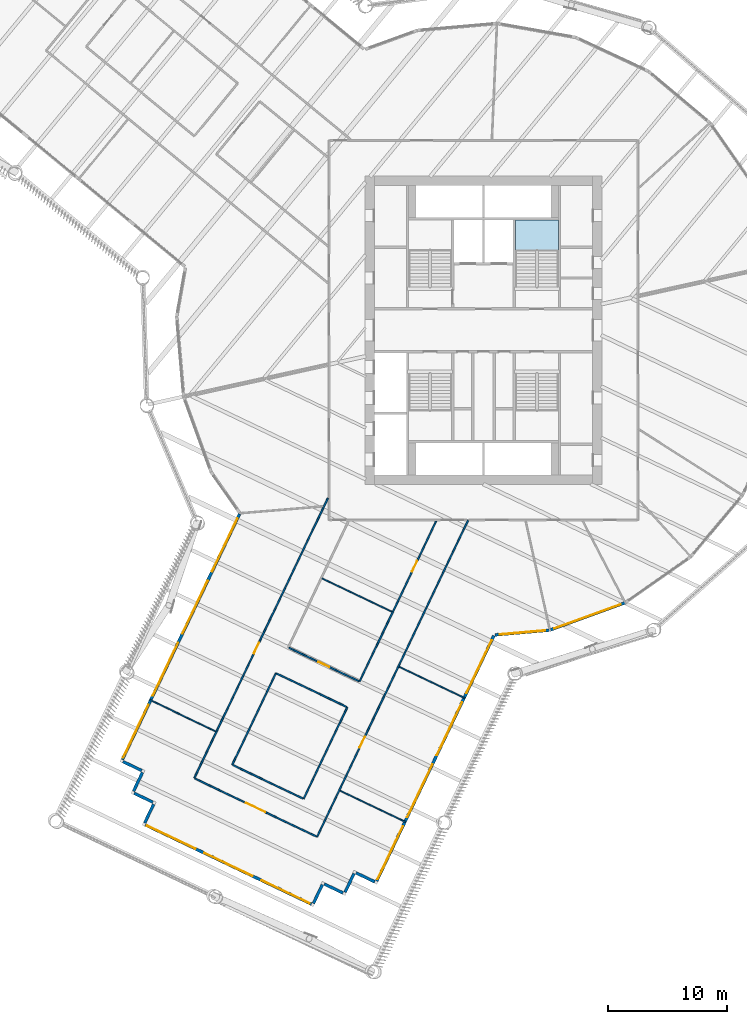
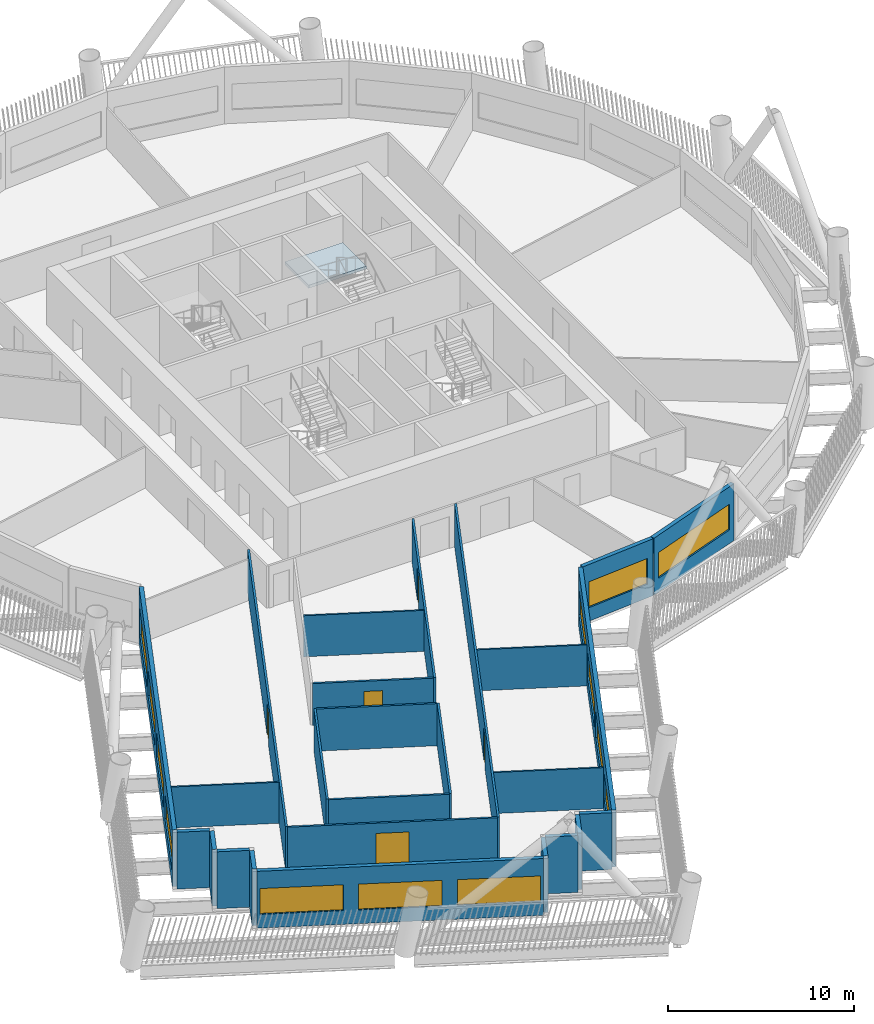
# One storey, part 3 of 22: 26 walls, 13 windows, 5 doors, 1 slab, 18 openings, 1 element without a shape of its own.
"""IFC4 building model written with IfcOpenShell, lengths in metres."""

from ifc_helpers import new_model, si_unit, direction, frame, frame_2d, origin, place, context, subcontext, project, spatial, polyline, rectangle, outline, extrude, material, layer, layer_set, type_object, element, fill, aggregate, save


model = new_model("IFC4")

# Units and contexts
model_context = context("Model", 3, precision=1e-05, world=origin(), true_north=direction((0.0, 1.0)))
body_context = subcontext(model_context, "Body", "Model", "MODEL_VIEW")
ifc_project = project(units=[si_unit("LENGTHUNIT", "METRE"), si_unit("AREAUNIT", "SQUARE_METRE"), si_unit("VOLUMEUNIT", "CUBIC_METRE"), si_unit("PLANEANGLEUNIT", "RADIAN"), si_unit("MASSUNIT", "GRAM", prefix="KILO")], contexts=[model_context])

# Site, building, storey
site_placement = place(None, origin())
site = spatial("IfcSite", under=ifc_project, at=site_placement, CompositionType="ELEMENT")
building_placement = place(site_placement, origin())
building = spatial("IfcBuilding", under=site, at=building_placement, Name="Tarsis Ring Headquarters", CompositionType="ELEMENT")
storey_placement = place(building_placement, frame((0.0, 0.0, 108.39990234375)))
storey = spatial("IfcBuildingStorey", under=building, at=storey_placement, Name="L24", CompositionType="ELEMENT", Elevation=108.39990234375)

# Stair, slab
ifc_material_1 = material(Name="Core stair 1760")
stair_type = type_object("IfcStairType", Name="Core stair 1760", PredefinedType="HALF_TURN_STAIR", material=ifc_material_1)
stair_placement = place(storey_placement, origin())
stair = element("IfcStair", 1, at=stair_placement, inside=storey, type_object=stair_type, Name="L24 Exit stair B", PredefinedType="HALF_TURN_STAIR")
ifc_material_2 = material(Name="Concrete C40/50", Category="concrete")
ifc_layer_1 = layer(ifc_material_2, 0.199951171875)
ifc_layer_set_1 = layer_set([ifc_layer_1], Name="Core stair landing 200")
slab_type = type_object("IfcSlabType", Name="Core stair landing 200", PredefinedType="LANDING", material=ifc_layer_set_1)
slab_placement = place(storey_placement, frame((0.0, 0.0, 1.75)))
slab = element("IfcSlab", 2, at=slab_placement, type_object=slab_type, Name="Stair ST2 landing 1", PredefinedType="LANDING", context=body_context, shape_type="SweptSolid", body=[
    extrude(outline(polyline([(6.300048828125, 6.739990234375), (6.300048828125, 9.300048828125), (2.699951171875, 9.300048828125), (2.699951171875, 6.739990234375), (6.300048828125, 6.739990234375)])), origin(), (0.0, 0.0, 1.0), 0.2001953125),
])
aggregate(stair, [slab])

# Walls
ifc_material_3 = material(Name="Gypsum board on steel studs", Category="steel")
ifc_layer_2 = layer(ifc_material_3, 0.10009765625)
ifc_layer_set_2 = layer_set([ifc_layer_2], Name="FL partition 100 unrated")
wall_type_1 = type_object("IfcWallType", Name="FL partition 100 unrated", PredefinedType="PARTITIONING", material=ifc_layer_set_2)
wall_1_placement = place(storey_placement, frame((-13.592041015625, -20.90380859375, 0.0), z_axis=(0.0, 0.0, 1.0), x_axis=(0.90244828508, -0.430798204217, 0.0)))
element("IfcWall", 3, at=wall_1_placement, inside=storey, type_object=wall_type_1, Name="Partition PW3", PredefinedType="PARTITIONING", context=body_context, shape_type="SweptSolid", body=[
    extrude(rectangle(XDim=6.52001953125, YDim=0.10009765625, at=frame_2d((3.260009765625, 0.0))), origin(), (0.0, 0.0, 1.0), 2.7001953125),
])
for number, where, z_axis, x_axis, name in (
    (4, (-28.107666015625, -31.138427734375, 0.0), (0.0, 0.0, 1.0), (0.902432283332, -0.43083172353, 0.0), "Partition PW3"),
    (5, (-7.104736328125, -28.344482421875, 0.0), (0.0, 0.0, 1.0), (0.902432283332, -0.43083172353, 0.0), "Partition PW3"),
    (6, (-12.08935546875, -38.78564453125, 0.0), (0.0, 0.0, 1.0), (0.902432283332, -0.43083172353, 0.0), "Partition PW3"),
):
    element("IfcWall", number, at=place(storey_placement, frame(where, z_axis=z_axis, x_axis=x_axis)), inside=storey, type_object=wall_type_1, Name=name, PredefinedType="PARTITIONING", context=body_context, shape_type="SweptSolid", body=[
        extrude(rectangle(XDim=6.150146484375, YDim=0.10009765625, at=frame_2d((3.0751953125, 0.0))), origin(), (0.0, 0.0, 1.0), 2.7001953125),
    ])

# Wall, opening, door
ifc_layer_3 = layer(ifc_material_3, 0.125)
ifc_layer_set_3 = layer_set([ifc_layer_3], Name="FL partition 125 EI 60 H2770")
wall_type_2 = type_object("IfcWallType", Name="FL partition 125 EI 60 H2770", PredefinedType="PARTITIONING", material=ifc_layer_set_3)
wall_2_placement = place(storey_placement, frame((-14.0224609375, -42.672119140625, 0.0), z_axis=(0.0, 0.0, 1.0), x_axis=(0.430826678424, 0.902434691908, 0.0)))
wall_2 = element("IfcWall", 7, at=wall_2_placement, inside=storey, type_object=wall_type_2, Name="Partition PW1", PredefinedType="PARTITIONING", context=body_context, shape_type="SweptSolid", body=[
    extrude(rectangle(XDim=29.5556640625, YDim=0.125, at=frame_2d((14.77783203125, 0.0))), origin(), (0.0, 0.0, 1.0), 2.77001953125),
])
opening_1_placement = place(wall_2_placement, frame((8.343994140625, 0.0, 0.0)))
opening_1 = element("IfcOpeningElement", 8, at=opening_1_placement, cuts=wall_2, Name="Opening D24.11", PredefinedType="OPENING", context=body_context, shape_type="SweptSolid", body=[
    extrude(rectangle(XDim=1.0, YDim=2.10009765625, at=frame_2d((0.5, 1.050048828125))), frame((0.0, 0.072509765625, 0.0), z_axis=(0.0, -1.0, 0.0), x_axis=(1.0, 0.0, 0.0)), (0.0, 0.0, 1.0), 0.14501953125),
])
ifc_material_4 = material(Name="Fire-rated timber door leaf in steel frame", Category="steel")
door_type_1 = type_object("IfcDoorType", Name="FL door FD60-1000", OperationType="NOTDEFINED", PredefinedType="DOOR", material=ifc_material_4)
door_1_placement = place(opening_1_placement, origin())
door_1 = element("IfcDoor", 9, at=door_1_placement, inside=storey, type_object=door_type_1, Name="Door D24.11", OperationType="SINGLE_SWING_LEFT", OverallHeight=2.10009765625, OverallWidth=1.0, PredefinedType="DOOR", context=body_context, shape_type="SweptSolid", body=[
    extrude(rectangle(XDim=1.0, YDim=2.10009765625, at=frame_2d((0.5, 1.050048828125))), frame((0.0, 0.02490234375, 0.0), z_axis=(0.0, -1.0, 0.0), x_axis=(1.0, 0.0, 0.0)), (0.0, 0.0, 1.0), 0.050048828125),
])
fill(opening_1, door_1)

wall_3_placement = place(storey_placement, frame((-24.3642578125, -37.73486328125, 0.0), z_axis=(0.0, 0.0, 1.0), x_axis=(0.430828174261, 0.902433977786, 0.0)))
wall_3 = element("IfcWall", 10, at=wall_3_placement, inside=storey, type_object=wall_type_2, Name="Partition PW1", PredefinedType="PARTITIONING", context=body_context, shape_type="SweptSolid", body=[
    extrude(rectangle(XDim=26.127685546875, YDim=0.125, at=frame_2d((13.06396484375, 0.0))), origin(), (0.0, 0.0, 1.0), 2.77001953125),
])
opening_2_placement = place(wall_3_placement, frame((11.64990234375, 0.0, 0.0)))
opening_2 = element("IfcOpeningElement", 11, at=opening_2_placement, cuts=wall_3, Name="Opening D24.13", PredefinedType="OPENING", context=body_context, shape_type="SweptSolid", body=[
    extrude(rectangle(XDim=1.0, YDim=2.10009765625, at=frame_2d((0.5, 1.050048828125))), frame((0.0, 0.072509765625, 0.0), z_axis=(0.0, -1.0, 0.0), x_axis=(1.0, 0.0, 0.0)), (0.0, 0.0, 1.0), 0.14501953125),
])
door_2_placement = place(opening_2_placement, origin())
door_2 = element("IfcDoor", 12, at=door_2_placement, inside=storey, type_object=door_type_1, Name="Door D24.13", OperationType="SINGLE_SWING_LEFT", OverallHeight=2.10009765625, OverallWidth=1.0, PredefinedType="DOOR", context=body_context, shape_type="SweptSolid", body=[
    extrude(rectangle(XDim=1.0, YDim=2.10009765625, at=frame_2d((0.5, 1.050048828125))), frame((0.0, 0.02490234375, 0.0), z_axis=(0.0, -1.0, 0.0), x_axis=(1.0, 0.0, 0.0)), (0.0, 0.0, 1.0), 0.050048828125),
])
fill(opening_2, door_2)

wall_4_placement = place(storey_placement, frame((-10.436767578125, -29.590576171875, 0.0), z_axis=(0.0, 0.0, 1.0), x_axis=(0.430830414235, 0.902432908404, 0.0)))
wall_4 = element("IfcWall", 13, at=wall_4_placement, inside=storey, type_object=wall_type_2, Name="Partition PW1", PredefinedType="PARTITIONING", context=body_context, shape_type="SweptSolid", body=[
    extrude(rectangle(XDim=14.9697265625, YDim=0.125, at=frame_2d((7.48486328125, 0.0))), origin(), (0.0, 0.0, 1.0), 2.77001953125),
])
opening_3_placement = place(wall_4_placement, frame((10.27001953125, 0.0, 0.0)))
opening_3 = element("IfcOpeningElement", 14, at=opening_3_placement, cuts=wall_4, Name="Opening D24.18", PredefinedType="OPENING", context=body_context, shape_type="SweptSolid", body=[
    extrude(rectangle(XDim=1.0, YDim=2.10009765625, at=frame_2d((0.5, 1.050048828125))), frame((0.0, 0.072509765625, 0.0), z_axis=(0.0, -1.0, 0.0), x_axis=(1.0, 0.0, 0.0)), (0.0, 0.0, 1.0), 0.14501953125),
])
door_3_placement = place(opening_3_placement, origin())
door_3 = element("IfcDoor", 15, at=door_3_placement, inside=storey, type_object=door_type_1, Name="Door D24.18", OperationType="SINGLE_SWING_RIGHT", OverallHeight=2.10009765625, OverallWidth=1.0, PredefinedType="DOOR", context=body_context, shape_type="SweptSolid", body=[
    extrude(rectangle(XDim=1.0, YDim=2.10009765625, at=frame_2d((0.5, 1.050048828125))), frame((0.0, 0.02490234375, 0.0), z_axis=(0.0, -1.0, 0.0), x_axis=(1.0, 0.0, 0.0)), (0.0, 0.0, 1.0), 0.050048828125),
])
fill(opening_3, door_3)

wall_5_placement = place(storey_placement, frame((-24.31005859375, -37.7607421875, 0.0), z_axis=(0.0, 0.0, 1.0), x_axis=(0.902437857182, -0.430820048192, 0.0)))
wall_5 = element("IfcWall", 16, at=wall_5_placement, inside=storey, type_object=wall_type_2, Name="Partition PW1", PredefinedType="PARTITIONING", context=body_context, shape_type="SweptSolid", body=[
    extrude(rectangle(XDim=11.340087890625, YDim=0.125, at=frame_2d((5.669921875, 0.0))), origin(), (0.0, 0.0, 1.0), 2.77001953125),
])
opening_4_placement = place(wall_5_placement, frame((4.77001953125, 0.0, 0.0)))
opening_4 = element("IfcOpeningElement", 17, at=opening_4_placement, cuts=wall_5, Name="Opening D24.12", PredefinedType="OPENING", context=body_context, shape_type="SweptSolid", body=[
    extrude(rectangle(XDim=1.800048828125, YDim=2.10009765625, at=frame_2d((0.89990234375, 1.050048828125))), frame((0.0, 0.072509765625, 0.0), z_axis=(0.0, -1.0, 0.0), x_axis=(1.0, 0.0, 0.0)), (0.0, 0.0, 1.0), 0.14501953125),
])
door_type_2 = type_object("IfcDoorType", Name="FL door FD60-1800", OperationType="DOUBLE_DOOR_SINGLE_SWING", PredefinedType="DOOR", material=ifc_material_4)
door_4_placement = place(opening_4_placement, origin())
door_4 = element("IfcDoor", 18, at=door_4_placement, inside=storey, type_object=door_type_2, Name="Door D24.12", OperationType="DOUBLE_DOOR_SINGLE_SWING", OverallHeight=2.10009765625, OverallWidth=1.800048828125, PredefinedType="DOOR", context=body_context, shape_type="SweptSolid", body=[
    extrude(rectangle(XDim=1.800048828125, YDim=2.10009765625, at=frame_2d((0.89990234375, 1.050048828125))), frame((0.0, 0.02490234375, 0.0), z_axis=(0.0, -1.0, 0.0), x_axis=(1.0, 0.0, 0.0)), (0.0, 0.0, 1.0), 0.050048828125),
])
fill(opening_4, door_4)

# Walls
wall_6_placement = place(storey_placement, frame((-21.164306640625, -36.60302734375, 0.0), z_axis=(0.0, 0.0, 1.0), x_axis=(0.430805698681, 0.902444707438, 0.0)))
element("IfcWall", 19, at=wall_6_placement, inside=storey, type_object=wall_type_2, Name="Partition PW1", PredefinedType="PARTITIONING", context=body_context, shape_type="SweptSolid", body=[
    extrude(rectangle(XDim=8.5498046875, YDim=0.125, at=frame_2d((4.27490234375, 0.0))), origin(), (0.0, 0.0, 1.0), 2.77001953125),
])
wall_7_placement = place(storey_placement, frame((-15.154296875, -39.472412109375, 0.0), z_axis=(0.0, 0.0, 1.0), x_axis=(0.430828953435, 0.902433605803, 0.0)))
element("IfcWall", 20, at=wall_7_placement, inside=storey, type_object=wall_type_2, Name="Partition PW1", PredefinedType="PARTITIONING", context=body_context, shape_type="SweptSolid", body=[
    extrude(rectangle(XDim=8.550048828125, YDim=0.125, at=frame_2d((4.27490234375, 0.0))), origin(), (0.0, 0.0, 1.0), 2.77001953125),
])

# Wall, opening, door
wall_8_placement = place(storey_placement, frame((-16.392578125, -26.747314453125, 0.0), z_axis=(0.0, 0.0, 1.0), x_axis=(0.902446075029, -0.430802833864, 0.0)))
wall_8 = element("IfcWall", 21, at=wall_8_placement, inside=storey, type_object=wall_type_2, Name="Partition PW1", PredefinedType="PARTITIONING", context=body_context, shape_type="SweptSolid", body=[
    extrude(rectangle(XDim=6.539794921875, YDim=0.125, at=frame_2d((3.27001953125, 0.0))), origin(), (0.0, 0.0, 1.0), 2.77001953125),
])
opening_5_placement = place(wall_8_placement, frame((2.77001953125, 0.0, 0.0)))
opening_5 = element("IfcOpeningElement", 22, at=opening_5_placement, cuts=wall_8, Name="Opening D24.19", PredefinedType="OPENING", context=body_context, shape_type="SweptSolid", body=[
    extrude(rectangle(XDim=1.0, YDim=2.10009765625, at=frame_2d((0.5, 1.050048828125))), frame((0.0, 0.072509765625, 0.0), z_axis=(0.0, -1.0, 0.0), x_axis=(1.0, 0.0, 0.0)), (0.0, 0.0, 1.0), 0.14501953125),
])
door_5_placement = place(opening_5_placement, origin())
door_5 = element("IfcDoor", 23, at=door_5_placement, inside=storey, type_object=door_type_1, Name="Door D24.19", OperationType="SINGLE_SWING_LEFT", OverallHeight=2.10009765625, OverallWidth=1.0, PredefinedType="DOOR", context=body_context, shape_type="SweptSolid", body=[
    extrude(rectangle(XDim=1.0, YDim=2.10009765625, at=frame_2d((0.5, 1.050048828125))), frame((0.0, 0.02490234375, 0.0), z_axis=(0.0, -1.0, 0.0), x_axis=(1.0, 0.0, 0.0)), (0.0, 0.0, 1.0), 0.050048828125),
])
fill(opening_5, door_5)

# Walls
wall_9_placement = place(storey_placement, frame((-17.4267578125, -28.9130859375, 0.0), z_axis=(0.0, 0.0, 1.0), x_axis=(0.902431561237, -0.430833236048, 0.0)))
element("IfcWall", 24, at=wall_9_placement, inside=storey, type_object=wall_type_2, Name="Partition PW1", PredefinedType="PARTITIONING", context=body_context, shape_type="SweptSolid", body=[
    extrude(rectangle(XDim=6.5400390625, YDim=0.125, at=frame_2d((3.27001953125, 0.0))), origin(), (0.0, 0.0, 1.0), 2.77001953125),
])
wall_10_placement = place(storey_placement, frame((-21.1103515625, -36.62890625, 0.0), z_axis=(0.0, 0.0, 1.0), x_axis=(0.902446075029, -0.430802833864, 0.0)))
element("IfcWall", 25, at=wall_10_placement, inside=storey, type_object=wall_type_2, Name="Partition PW1", PredefinedType="PARTITIONING", context=body_context, shape_type="SweptSolid", body=[
    extrude(rectangle(XDim=6.539794921875, YDim=0.125, at=frame_2d((3.27001953125, 0.0))), origin(), (0.0, 0.0, 1.0), 2.77001953125),
])

# Wall, openings, windows
ifc_material_5 = material(Name="Terracotta clad insulated panel wall", Category="masonry")
ifc_layer_4 = layer(ifc_material_5, 0.25)
ifc_layer_set_4 = layer_set([ifc_layer_4], Name="Facade wall terracotta panel 250")
wall_type_3 = type_object("IfcWallType", Name="Facade wall terracotta panel 250", PredefinedType="STANDARD", material=ifc_layer_set_4)
wall_11_placement = place(storey_placement, frame((-20.55126953125, -15.484619140625, 0.0), z_axis=(0.0, 0.0, 1.0), x_axis=(-0.430826386723, -0.902434831167, 0.0)))
wall_11 = element("IfcWall", 26, at=wall_11_placement, inside=storey, type_object=wall_type_3, Name="External wall L24-06", PredefinedType="STANDARD", context=body_context, shape_type="SweptSolid", body=[
    extrude(rectangle(XDim=22.922119140625, YDim=0.25, at=frame_2d((11.4609375, 0.0))), origin(), (0.0, 0.0, 1.0), 3.739990234375),
])
opening_6_placement = place(wall_11_placement, frame((0.42138671875, 0.0, 0.89990234375)))
opening_6 = element("IfcOpeningElement", 27, at=opening_6_placement, cuts=wall_11, Name="Opening WN05", PredefinedType="OPENING", context=body_context, shape_type="SweptSolid", body=[
    extrude(rectangle(XDim=4.949951171875, YDim=1.699951171875, at=frame_2d((2.47509765625, 0.85009765625))), frame((0.0, 0.135009765625, 0.0), z_axis=(0.0, -1.0, 0.0), x_axis=(1.0, 0.0, 0.0)), (0.0, 0.0, 1.0), 0.27001953125),
])
opening_7_placement = place(wall_11_placement, frame((6.214599609375, 0.0, 0.89990234375)))
opening_7 = element("IfcOpeningElement", 28, at=opening_7_placement, cuts=wall_11, Name="Opening WN05", PredefinedType="OPENING", context=body_context, shape_type="SweptSolid", body=[
    extrude(rectangle(XDim=4.949951171875, YDim=1.699951171875, at=frame_2d((2.47509765625, 0.85009765625))), frame((0.0, 0.135009765625, 0.0), z_axis=(0.0, -1.0, 0.0), x_axis=(1.0, 0.0, 0.0)), (0.0, 0.0, 1.0), 0.27001953125),
])
opening_8_placement = place(wall_11_placement, frame((12.007568359375, 0.0, 0.89990234375)))
opening_8 = element("IfcOpeningElement", 29, at=opening_8_placement, cuts=wall_11, Name="Opening WN05", PredefinedType="OPENING", context=body_context, shape_type="SweptSolid", body=[
    extrude(rectangle(XDim=4.949951171875, YDim=1.699951171875, at=frame_2d((2.47509765625, 0.85009765625))), frame((0.0, 0.135009765625, 0.0), z_axis=(0.0, -1.0, 0.0), x_axis=(1.0, 0.0, 0.0)), (0.0, 0.0, 1.0), 0.27001953125),
])
opening_9_placement = place(wall_11_placement, frame((17.800537109375, 0.0, 0.89990234375)))
opening_9 = element("IfcOpeningElement", 30, at=opening_9_placement, cuts=wall_11, Name="Opening WN05", PredefinedType="OPENING", context=body_context, shape_type="SweptSolid", body=[
    extrude(rectangle(XDim=4.949951171875, YDim=1.699951171875, at=frame_2d((2.47509765625, 0.85009765625))), frame((0.0, 0.135009765625, 0.0), z_axis=(0.0, -1.0, 0.0), x_axis=(1.0, 0.0, 0.0)), (0.0, 0.0, 1.0), 0.27001953125),
])
ifc_material_6 = material(Name="Aluminium framed double glazing", Category="aluminium")
window_type_1 = type_object("IfcWindowType", Name="Facade window 4950 x 1700", PartitioningType="SINGLE_PANEL", PredefinedType="WINDOW", material=ifc_material_6)
window_1_placement = place(opening_6_placement, origin())
window_1 = element("IfcWindow", 31, at=window_1_placement, inside=storey, type_object=window_type_1, Name="Window L24-06.1", OverallHeight=1.699951171875, OverallWidth=4.949951171875, PartitioningType="SINGLE_PANEL", PredefinedType="WINDOW", context=body_context, shape_type="SweptSolid", body=[
    extrude(rectangle(XDim=4.949951171875, YDim=1.699951171875, at=frame_2d((2.47509765625, 0.85009765625))), frame((0.0, 0.030029296875, 0.0), z_axis=(0.0, -1.0, 0.0), x_axis=(1.0, 0.0, 0.0)), (0.0, 0.0, 1.0), 0.06005859375),
])
fill(opening_6, window_1)
window_2_placement = place(opening_7_placement, origin())
window_2 = element("IfcWindow", 32, at=window_2_placement, inside=storey, type_object=window_type_1, Name="Window L24-06.2", OverallHeight=1.699951171875, OverallWidth=4.949951171875, PartitioningType="SINGLE_PANEL", PredefinedType="WINDOW", context=body_context, shape_type="SweptSolid", body=[
    extrude(rectangle(XDim=4.949951171875, YDim=1.699951171875, at=frame_2d((2.47509765625, 0.85009765625))), frame((0.0, 0.030029296875, 0.0), z_axis=(0.0, -1.0, 0.0), x_axis=(1.0, 0.0, 0.0)), (0.0, 0.0, 1.0), 0.06005859375),
])
fill(opening_7, window_2)
window_3_placement = place(opening_8_placement, origin())
window_3 = element("IfcWindow", 33, at=window_3_placement, inside=storey, type_object=window_type_1, Name="Window L24-06.3", OverallHeight=1.699951171875, OverallWidth=4.949951171875, PartitioningType="SINGLE_PANEL", PredefinedType="WINDOW", context=body_context, shape_type="SweptSolid", body=[
    extrude(rectangle(XDim=4.949951171875, YDim=1.699951171875, at=frame_2d((2.47509765625, 0.85009765625))), frame((0.0, 0.030029296875, 0.0), z_axis=(0.0, -1.0, 0.0), x_axis=(1.0, 0.0, 0.0)), (0.0, 0.0, 1.0), 0.06005859375),
])
fill(opening_8, window_3)
window_4_placement = place(opening_9_placement, origin())
window_4 = element("IfcWindow", 34, at=window_4_placement, inside=storey, type_object=window_type_1, Name="Window L24-06.4", OverallHeight=1.699951171875, OverallWidth=4.949951171875, PartitioningType="SINGLE_PANEL", PredefinedType="WINDOW", context=body_context, shape_type="SweptSolid", body=[
    extrude(rectangle(XDim=4.949951171875, YDim=1.699951171875, at=frame_2d((2.47509765625, 0.85009765625))), frame((0.0, 0.030029296875, 0.0), z_axis=(0.0, -1.0, 0.0), x_axis=(1.0, 0.0, 0.0)), (0.0, 0.0, 1.0), 0.06005859375),
])
fill(opening_9, window_4)

# Walls
wall_12_placement = place(storey_placement, frame((-30.36767578125, -36.3369140625, 0.0), z_axis=(0.0, 0.0, 1.0), x_axis=(0.902426794991, -0.430843219377, 0.0)))
element("IfcWall", 35, at=wall_12_placement, inside=storey, type_object=wall_type_3, Name="External wall L24-07", PredefinedType="STANDARD", context=body_context, shape_type="SweptSolid", body=[
    extrude(rectangle(XDim=1.749755859375, YDim=0.25, at=frame_2d((0.875, 0.0))), origin(), (0.0, 0.0, 1.0), 3.739990234375),
])
wall_13_placement = place(storey_placement, frame((-28.7294921875, -37.257568359375, 0.0), z_axis=(0.0, 0.0, 1.0), x_axis=(-0.430788978742, -0.902452688951, 0.0)))
element("IfcWall", 36, at=wall_13_placement, inside=storey, type_object=wall_type_3, Name="External wall L24-08", PredefinedType="STANDARD", context=body_context, shape_type="SweptSolid", body=[
    extrude(rectangle(XDim=1.75, YDim=0.25, at=frame_2d((0.875, 0.0))), origin(), (0.0, 0.0, 1.0), 3.739990234375),
])
wall_14_placement = place(storey_placement, frame((-29.424560546875, -39.00341796875, 0.0), z_axis=(0.0, 0.0, 1.0), x_axis=(0.902398450475, -0.430902583632, 0.0)))
element("IfcWall", 37, at=wall_14_placement, inside=storey, type_object=wall_type_3, Name="External wall L24-09", PredefinedType="STANDARD", context=body_context, shape_type="SweptSolid", body=[
    extrude(rectangle(XDim=1.750244140625, YDim=0.25, at=frame_2d((0.875, 0.0))), origin(), (0.0, 0.0, 1.0), 3.739990234375),
])
wall_15_placement = place(storey_placement, frame((-27.786376953125, -39.924072265625, 0.0), z_axis=(0.0, 0.0, 1.0), x_axis=(-0.430788978742, -0.902452688951, 0.0)))
element("IfcWall", 38, at=wall_15_placement, inside=storey, type_object=wall_type_3, Name="External wall L24-10", PredefinedType="STANDARD", context=body_context, shape_type="SweptSolid", body=[
    extrude(rectangle(XDim=1.75, YDim=0.25, at=frame_2d((0.875, 0.0))), origin(), (0.0, 0.0, 1.0), 3.739990234375),
])

# Wall, openings, windows
wall_16_placement = place(storey_placement, frame((-28.4814453125, -41.669921875, 0.0), z_axis=(0.0, 0.0, 1.0), x_axis=(0.902431214686, -0.430833961939, 0.0)))
wall_16 = element("IfcWall", 39, at=wall_16_placement, inside=storey, type_object=wall_type_3, Name="External wall L24-11", PredefinedType="STANDARD", context=body_context, shape_type="SweptSolid", body=[
    extrude(rectangle(XDim=15.5, YDim=0.25, at=frame_2d((7.75, 0.0))), origin(), (0.0, 0.0, 1.0), 3.739990234375),
])
opening_10_placement = place(wall_16_placement, frame((0.166748046875, 0.0, 0.89990234375)))
opening_10 = element("IfcOpeningElement", 40, at=opening_10_placement, cuts=wall_16, Name="Opening WN04", PredefinedType="OPENING", context=body_context, shape_type="SweptSolid", body=[
    extrude(rectangle(XDim=4.5, YDim=1.699951171875, at=frame_2d((2.25, 0.85009765625))), frame((0.0, 0.135009765625, 0.0), z_axis=(0.0, -1.0, 0.0), x_axis=(1.0, 0.0, 0.0)), (0.0, 0.0, 1.0), 0.27001953125),
])
opening_11_placement = place(wall_16_placement, frame((5.5, 0.0, 0.89990234375)))
opening_11 = element("IfcOpeningElement", 41, at=opening_11_placement, cuts=wall_16, Name="Opening WN04", PredefinedType="OPENING", context=body_context, shape_type="SweptSolid", body=[
    extrude(rectangle(XDim=4.5, YDim=1.699951171875, at=frame_2d((2.25, 0.85009765625))), frame((0.0, 0.135009765625, 0.0), z_axis=(0.0, -1.0, 0.0), x_axis=(1.0, 0.0, 0.0)), (0.0, 0.0, 1.0), 0.27001953125),
])
opening_12_placement = place(wall_16_placement, frame((10.833251953125, 0.0, 0.89990234375)))
opening_12 = element("IfcOpeningElement", 42, at=opening_12_placement, cuts=wall_16, Name="Opening WN04", PredefinedType="OPENING", context=body_context, shape_type="SweptSolid", body=[
    extrude(rectangle(XDim=4.5, YDim=1.699951171875, at=frame_2d((2.25, 0.85009765625))), frame((0.0, 0.135009765625, 0.0), z_axis=(0.0, -1.0, 0.0), x_axis=(1.0, 0.0, 0.0)), (0.0, 0.0, 1.0), 0.27001953125),
])
window_type_2 = type_object("IfcWindowType", Name="Facade window 4500 x 1700", PartitioningType="SINGLE_PANEL", PredefinedType="WINDOW", material=ifc_material_6)
window_5_placement = place(opening_10_placement, origin())
window_5 = element("IfcWindow", 43, at=window_5_placement, inside=storey, type_object=window_type_2, Name="Window L24-11.1", OverallHeight=1.699951171875, OverallWidth=4.5, PartitioningType="SINGLE_PANEL", PredefinedType="WINDOW", context=body_context, shape_type="SweptSolid", body=[
    extrude(rectangle(XDim=4.5, YDim=1.699951171875, at=frame_2d((2.25, 0.85009765625))), frame((0.0, 0.030029296875, 0.0), z_axis=(0.0, -1.0, 0.0), x_axis=(1.0, 0.0, 0.0)), (0.0, 0.0, 1.0), 0.06005859375),
])
fill(opening_10, window_5)
window_6_placement = place(opening_11_placement, origin())
window_6 = element("IfcWindow", 44, at=window_6_placement, inside=storey, type_object=window_type_2, Name="Window L24-11.2", OverallHeight=1.699951171875, OverallWidth=4.5, PartitioningType="SINGLE_PANEL", PredefinedType="WINDOW", context=body_context, shape_type="SweptSolid", body=[
    extrude(rectangle(XDim=4.5, YDim=1.699951171875, at=frame_2d((2.25, 0.85009765625))), frame((0.0, 0.030029296875, 0.0), z_axis=(0.0, -1.0, 0.0), x_axis=(1.0, 0.0, 0.0)), (0.0, 0.0, 1.0), 0.06005859375),
])
fill(opening_11, window_6)
window_7_placement = place(opening_12_placement, origin())
window_7 = element("IfcWindow", 45, at=window_7_placement, inside=storey, type_object=window_type_2, Name="Window L24-11.3", OverallHeight=1.699951171875, OverallWidth=4.5, PartitioningType="SINGLE_PANEL", PredefinedType="WINDOW", context=body_context, shape_type="SweptSolid", body=[
    extrude(rectangle(XDim=4.5, YDim=1.699951171875, at=frame_2d((2.25, 0.85009765625))), frame((0.0, 0.030029296875, 0.0), z_axis=(0.0, -1.0, 0.0), x_axis=(1.0, 0.0, 0.0)), (0.0, 0.0, 1.0), 0.06005859375),
])
fill(opening_12, window_7)

# Walls
for number, where, z_axis, x_axis, name in (
    (46, (-14.326904296875, -48.288818359375, 0.0), (0.0, 0.0, 1.0), (0.430843219377, 0.902426794991, 0.0), "External wall L24-12"),
    (47, (-13.40625, -46.650634765625, 0.0), (0.0, 0.0, 1.0), (0.902426794991, -0.430843219377, 0.0), "External wall L24-13"),
):
    element("IfcWall", number, at=place(storey_placement, frame(where, z_axis=z_axis, x_axis=x_axis)), inside=storey, type_object=wall_type_3, Name=name, PredefinedType="STANDARD", context=body_context, shape_type="SweptSolid", body=[
        extrude(rectangle(XDim=1.749755859375, YDim=0.25, at=frame_2d((0.875, 0.0))), origin(), (0.0, 0.0, 1.0), 3.739990234375),
    ])
wall_17_placement = place(storey_placement, frame((-11.660400390625, -47.345703125, 0.0), z_axis=(0.0, 0.0, 1.0), x_axis=(0.430788978742, 0.902452688951, 0.0)))
element("IfcWall", 48, at=wall_17_placement, inside=storey, type_object=wall_type_3, Name="External wall L24-14", PredefinedType="STANDARD", context=body_context, shape_type="SweptSolid", body=[
    extrude(rectangle(XDim=1.75, YDim=0.25, at=frame_2d((0.875, 0.0))), origin(), (0.0, 0.0, 1.0), 3.739990234375),
])
wall_18_placement = place(storey_placement, frame((-10.73974609375, -45.70751953125, 0.0), z_axis=(0.0, 0.0, 1.0), x_axis=(0.902426794991, -0.430843219377, 0.0)))
element("IfcWall", 49, at=wall_18_placement, inside=storey, type_object=wall_type_3, Name="External wall L24-15", PredefinedType="STANDARD", context=body_context, shape_type="SweptSolid", body=[
    extrude(rectangle(XDim=1.749755859375, YDim=0.25, at=frame_2d((0.875, 0.0))), origin(), (0.0, 0.0, 1.0), 3.739990234375),
])

# Wall, openings, windows
wall_19_placement = place(storey_placement, frame((-8.993896484375, -46.40234375, 0.0), z_axis=(0.0, 0.0, 1.0), x_axis=(0.43082844907, 0.90243384659, 0.0)))
wall_19 = element("IfcWall", 50, at=wall_19_placement, inside=storey, type_object=wall_type_3, Name="External wall L24-16", PredefinedType="STANDARD", context=body_context, shape_type="SweptSolid", body=[
    extrude(rectangle(XDim=22.901123046875, YDim=0.25, at=frame_2d((11.45068359375, 0.0))), origin(), (0.0, 0.0, 1.0), 3.739990234375),
])
opening_13_placement = place(wall_19_placement, frame((0.1689453125, 0.0, 0.89990234375)))
opening_13 = element("IfcOpeningElement", 51, at=opening_13_placement, cuts=wall_19, Name="Opening WN05", PredefinedType="OPENING", context=body_context, shape_type="SweptSolid", body=[
    extrude(rectangle(XDim=4.949951171875, YDim=1.699951171875, at=frame_2d((2.47509765625, 0.85009765625))), frame((0.0, 0.135009765625, 0.0), z_axis=(0.0, -1.0, 0.0), x_axis=(1.0, 0.0, 0.0)), (0.0, 0.0, 1.0), 0.27001953125),
])
opening_14_placement = place(wall_19_placement, frame((5.956787109375, 0.0, 0.89990234375)))
opening_14 = element("IfcOpeningElement", 52, at=opening_14_placement, cuts=wall_19, Name="Opening WN05", PredefinedType="OPENING", context=body_context, shape_type="SweptSolid", body=[
    extrude(rectangle(XDim=4.949951171875, YDim=1.699951171875, at=frame_2d((2.47509765625, 0.85009765625))), frame((0.0, 0.135009765625, 0.0), z_axis=(0.0, -1.0, 0.0), x_axis=(1.0, 0.0, 0.0)), (0.0, 0.0, 1.0), 0.27001953125),
])
opening_15_placement = place(wall_19_placement, frame((11.74462890625, 0.0, 0.89990234375)))
opening_15 = element("IfcOpeningElement", 53, at=opening_15_placement, cuts=wall_19, Name="Opening WN05", PredefinedType="OPENING", context=body_context, shape_type="SweptSolid", body=[
    extrude(rectangle(XDim=4.949951171875, YDim=1.699951171875, at=frame_2d((2.47509765625, 0.85009765625))), frame((0.0, 0.135009765625, 0.0), z_axis=(0.0, -1.0, 0.0), x_axis=(1.0, 0.0, 0.0)), (0.0, 0.0, 1.0), 0.27001953125),
])
opening_16_placement = place(wall_19_placement, frame((17.532470703125, 0.0, 0.89990234375)))
opening_16 = element("IfcOpeningElement", 54, at=opening_16_placement, cuts=wall_19, Name="Opening WN05", PredefinedType="OPENING", context=body_context, shape_type="SweptSolid", body=[
    extrude(rectangle(XDim=4.949951171875, YDim=1.699951171875, at=frame_2d((2.47509765625, 0.85009765625))), frame((0.0, 0.135009765625, 0.0), z_axis=(0.0, -1.0, 0.0), x_axis=(1.0, 0.0, 0.0)), (0.0, 0.0, 1.0), 0.27001953125),
])
window_8_placement = place(opening_13_placement, origin())
window_8 = element("IfcWindow", 55, at=window_8_placement, inside=storey, type_object=window_type_1, Name="Window L24-16.1", OverallHeight=1.699951171875, OverallWidth=4.949951171875, PartitioningType="SINGLE_PANEL", PredefinedType="WINDOW", context=body_context, shape_type="SweptSolid", body=[
    extrude(rectangle(XDim=4.949951171875, YDim=1.699951171875, at=frame_2d((2.47509765625, 0.85009765625))), frame((0.0, 0.030029296875, 0.0), z_axis=(0.0, -1.0, 0.0), x_axis=(1.0, 0.0, 0.0)), (0.0, 0.0, 1.0), 0.06005859375),
])
fill(opening_13, window_8)
window_9_placement = place(opening_14_placement, origin())
window_9 = element("IfcWindow", 56, at=window_9_placement, inside=storey, type_object=window_type_1, Name="Window L24-16.2", OverallHeight=1.699951171875, OverallWidth=4.949951171875, PartitioningType="SINGLE_PANEL", PredefinedType="WINDOW", context=body_context, shape_type="SweptSolid", body=[
    extrude(rectangle(XDim=4.949951171875, YDim=1.699951171875, at=frame_2d((2.47509765625, 0.85009765625))), frame((0.0, 0.030029296875, 0.0), z_axis=(0.0, -1.0, 0.0), x_axis=(1.0, 0.0, 0.0)), (0.0, 0.0, 1.0), 0.06005859375),
])
fill(opening_14, window_9)
window_10_placement = place(opening_15_placement, origin())
window_10 = element("IfcWindow", 57, at=window_10_placement, inside=storey, type_object=window_type_1, Name="Window L24-16.3", OverallHeight=1.699951171875, OverallWidth=4.949951171875, PartitioningType="SINGLE_PANEL", PredefinedType="WINDOW", context=body_context, shape_type="SweptSolid", body=[
    extrude(rectangle(XDim=4.949951171875, YDim=1.699951171875, at=frame_2d((2.47509765625, 0.85009765625))), frame((0.0, 0.030029296875, 0.0), z_axis=(0.0, -1.0, 0.0), x_axis=(1.0, 0.0, 0.0)), (0.0, 0.0, 1.0), 0.06005859375),
])
fill(opening_15, window_10)
window_11_placement = place(opening_16_placement, origin())
window_11 = element("IfcWindow", 58, at=window_11_placement, inside=storey, type_object=window_type_1, Name="Window L24-16.4", OverallHeight=1.699951171875, OverallWidth=4.949951171875, PartitioningType="SINGLE_PANEL", PredefinedType="WINDOW", context=body_context, shape_type="SweptSolid", body=[
    extrude(rectangle(XDim=4.949951171875, YDim=1.699951171875, at=frame_2d((2.47509765625, 0.85009765625))), frame((0.0, 0.030029296875, 0.0), z_axis=(0.0, -1.0, 0.0), x_axis=(1.0, 0.0, 0.0)), (0.0, 0.0, 1.0), 0.06005859375),
])
fill(opening_16, window_11)

# Wall, opening, window
wall_20_placement = place(storey_placement, frame((0.974609375, -25.664794921875, 0.0), z_axis=(0.0, 0.0, 1.0), x_axis=(0.996224700633, 0.08681212962, 0.0)))
wall_20 = element("IfcWall", 59, at=wall_20_placement, inside=storey, type_object=wall_type_3, Name="External wall L24-17", PredefinedType="STANDARD", context=body_context, shape_type="SweptSolid", body=[
    extrude(rectangle(XDim=4.61767578125, YDim=0.25, at=frame_2d((2.308837890625, 0.0))), origin(), (0.0, 0.0, 1.0), 3.739990234375),
])
opening_17_placement = place(wall_20_placement, frame((0.400390625, 0.0, 0.89990234375)))
opening_17 = element("IfcOpeningElement", 60, at=opening_17_placement, cuts=wall_20, Name="Opening WN02", PredefinedType="OPENING", context=body_context, shape_type="SweptSolid", body=[
    extrude(rectangle(XDim=3.85009765625, YDim=1.699951171875, at=frame_2d((1.925048828125, 0.85009765625))), frame((0.0, 0.135009765625, 0.0), z_axis=(0.0, -1.0, 0.0), x_axis=(1.0, 0.0, 0.0)), (0.0, 0.0, 1.0), 0.27001953125),
])
window_type_3 = type_object("IfcWindowType", Name="Facade window 3850 x 1700", PartitioningType="SINGLE_PANEL", PredefinedType="WINDOW", material=ifc_material_6)
window_12_placement = place(opening_17_placement, origin())
window_12 = element("IfcWindow", 61, at=window_12_placement, inside=storey, type_object=window_type_3, Name="Window L24-17.1", OverallHeight=1.699951171875, OverallWidth=3.85009765625, PartitioningType="SINGLE_PANEL", PredefinedType="WINDOW", context=body_context, shape_type="SweptSolid", body=[
    extrude(rectangle(XDim=3.85009765625, YDim=1.699951171875, at=frame_2d((1.925048828125, 0.85009765625))), frame((0.0, 0.030029296875, 0.0), z_axis=(0.0, -1.0, 0.0), x_axis=(1.0, 0.0, 0.0)), (0.0, 0.0, 1.0), 0.06005859375),
])
fill(opening_17, window_12)

wall_21_placement = place(storey_placement, frame((5.606689453125, -25.2568359375, 0.0), z_axis=(0.0, 0.0, 1.0), x_axis=(0.939817812149, 0.341675986817, 0.0)))
wall_21 = element("IfcWall", 62, at=wall_21_placement, inside=storey, type_object=wall_type_3, Name="External wall L24-18", PredefinedType="STANDARD", context=body_context, shape_type="SweptSolid", body=[
    extrude(rectangle(XDim=6.7216796875, YDim=0.25, at=frame_2d((3.36083984375, 0.0))), origin(), (0.0, 0.0, 1.0), 3.739990234375),
])
opening_18_placement = place(wall_21_placement, frame((0.3857421875, 0.0, 0.89990234375)))
opening_18 = element("IfcOpeningElement", 63, at=opening_18_placement, cuts=wall_21, Name="Opening WN07", PredefinedType="OPENING", context=body_context, shape_type="SweptSolid", body=[
    extrude(rectangle(XDim=5.949951171875, YDim=1.699951171875, at=frame_2d((2.97509765625, 0.85009765625))), frame((0.0, 0.135009765625, 0.0), z_axis=(0.0, -1.0, 0.0), x_axis=(1.0, 0.0, 0.0)), (0.0, 0.0, 1.0), 0.27001953125),
])
window_type_4 = type_object("IfcWindowType", Name="Facade window 5950 x 1700", PartitioningType="SINGLE_PANEL", PredefinedType="WINDOW", material=ifc_material_6)
window_13_placement = place(opening_18_placement, origin())
window_13 = element("IfcWindow", 64, at=window_13_placement, inside=storey, type_object=window_type_4, Name="Window L24-18.1", OverallHeight=1.699951171875, OverallWidth=5.949951171875, PartitioningType="SINGLE_PANEL", PredefinedType="WINDOW", context=body_context, shape_type="SweptSolid", body=[
    extrude(rectangle(XDim=5.949951171875, YDim=1.699951171875, at=frame_2d((2.97509765625, 0.85009765625))), frame((0.0, 0.030029296875, 0.0), z_axis=(0.0, -1.0, 0.0), x_axis=(1.0, 0.0, 0.0)), (0.0, 0.0, 1.0), 0.06005859375),
])
fill(opening_18, window_13)

save(model, "model.ifc")
